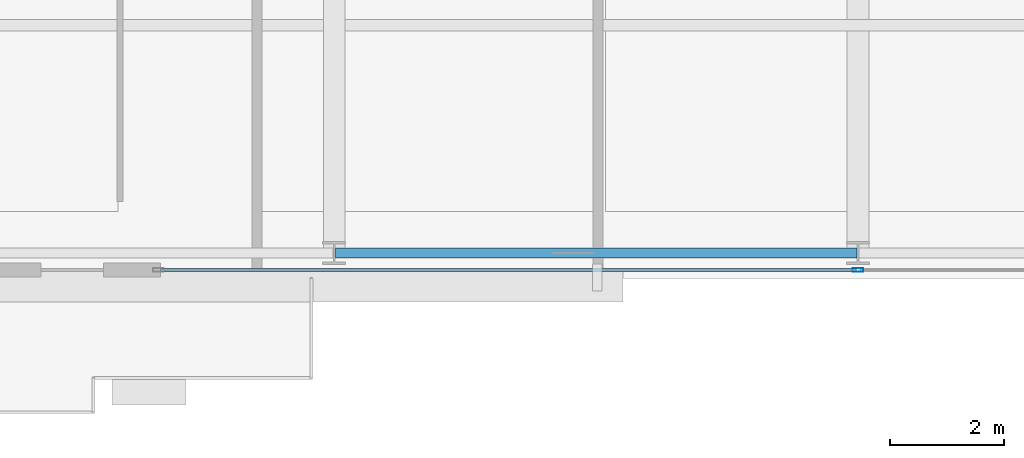
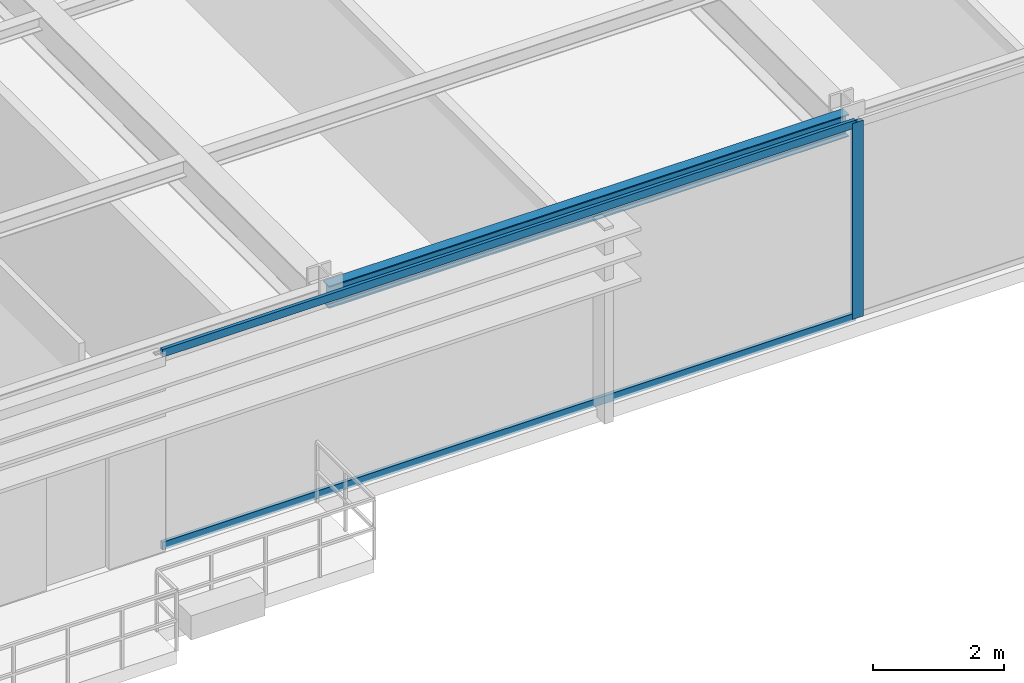
# One storey, part 6 of 31: 3 members, 1 beam, 1 element without a shape of its own.
"""IFC4 building model written with IfcOpenShell, lengths in metres."""

from ifc_helpers import new_model, si_unit, direction, frame, origin, origin_2d, place, context, subcontext, project, spatial, hollow_rectangle, i_section, extrude, source, transform, mapped, material, layer, layer_set, material_profile, profile_set, type_object, type_shapes, element, aggregate, save


model = new_model("IFC4")

# Units and contexts
model_context = context("Model", 3, precision=1e-05, world=origin(), true_north=direction((0.0, 1.0)))
body_context = subcontext(model_context, "Body", "Model", "MODEL_VIEW")
ifc_project = project(units=[si_unit("LENGTHUNIT", "METRE"), si_unit("AREAUNIT", "SQUARE_METRE"), si_unit("VOLUMEUNIT", "CUBIC_METRE"), si_unit("PLANEANGLEUNIT", "RADIAN"), si_unit("MASSUNIT", "GRAM", prefix="KILO")], contexts=[model_context])

# Site, building, storey
site_placement = place(None, origin())
site = spatial("IfcSite", under=ifc_project, at=site_placement, CompositionType="ELEMENT")
building_placement = place(site_placement, origin())
building = spatial("IfcBuilding", under=site, at=building_placement, Name="Varnel Quay Broadcast Tower", CompositionType="ELEMENT")
storey_placement = place(building_placement, frame((0.0, 0.0, 35.39990234375)))
storey = spatial("IfcBuildingStorey", under=building, at=storey_placement, Name="L07", CompositionType="ELEMENT", Elevation=35.39990234375)

# Beam
ifc_material_1 = material(Name="Structural Steel CSA G40.21 350W", Category="steel")
ifc_material_profile_1 = material_profile(ifc_material_1, i_section(OverallWidth=0.180908203125, OverallDepth=0.4169921875, WebThickness=0.010986328125, FlangeThickness=0.018310546875, FilletRadius=0.011962890625, at=origin_2d()), Name="W410X85")
ifc_profile_set_1 = profile_set([ifc_material_profile_1], Name="Structural Steel CSA G40.21 350W")
beam_type = type_object("IfcBeamType", Name="Beam_W410X85", PredefinedType="SPANDREL", material=ifc_profile_set_1)
shared_shape_1 = source(origin(), body_context, "Body", "SweptSolid", [
    extrude(i_section(OverallWidth=0.180908203125, OverallDepth=0.4169921875, WebThickness=0.010986328125, FlangeThickness=0.018310546875, FilletRadius=0.011962890625, at=origin_2d()), origin(), (0.0, 0.0, 1.0), 9.159912109375),
])
type_shapes(beam_type, [shared_shape_1])
beam_placement = place(storey_placement, frame((24.820068359375, 1.64990234375, 3.441650390625), z_axis=(1.0, 0.0, 0.0), x_axis=(0.0, 1.0, 0.0)))
element("IfcBeam", 1, at=beam_placement, inside=storey, type_object=beam_type, Name="L07 South Spandrel TC-S2-TC-S3", PredefinedType="SPANDREL", context=body_context, shape_type="MappedRepresentation", body=[
    mapped(shared_shape_1, transform((0.0, 0.0, 0.0), x_axis=(1.0, 0.0, 0.0), y_axis=(0.0, 1.0, 0.0), z_axis=(0.0, 0.0, 1.0), scale=1.0)),
])

# Curtain wall, members
ifc_material_2 = material(Name="Anodised Bronze Aluminium 6063-T6", Category="aluminium")
ifc_layer = layer(ifc_material_2, 0.18994140625, Name="Anodised Bronze Aluminium 6063-T6")
ifc_layer_set = layer_set([ifc_layer], Name="Anodised Bronze Aluminium 6063-T6")
curtain_wall_type = type_object("IfcCurtainWallType", Name="CW_LowerTower", PredefinedType="NOTDEFINED", material=ifc_layer_set)
curtain_wall_placement = place(storey_placement, origin())
curtain_wall = element("IfcCurtainWall", 2, at=curtain_wall_placement, inside=storey, type_object=curtain_wall_type, Name="L07 South Unitised Curtain Wall 2", PredefinedType="NOTDEFINED")
ifc_material_profile_2 = material_profile(ifc_material_2, hollow_rectangle(XDim=0.06005859375, YDim=0.14501953125, WallThickness=0.00341796875, at=origin_2d()), Name="ALU60X145X3.5")
ifc_profile_set_2 = profile_set([ifc_material_profile_2], Name="Anodised Bronze Aluminium 6063-T6")
member_type_1 = type_object("IfcMemberType", Name="Tran_CWS-02", PredefinedType="USERDEFINED", material=ifc_profile_set_2)
shared_shape_2 = source(origin(), body_context, "Body", "SweptSolid", [
    extrude(hollow_rectangle(XDim=0.06005859375, YDim=0.14501953125, WallThickness=0.00341796875, at=origin_2d()), origin(), (0.0, 0.0, 1.0), 12.215087890625),
])
type_shapes(member_type_1, [shared_shape_2])
member_1_placement = place(storey_placement, frame((21.75, 1.35009765625, 0.030029296875), z_axis=(1.0, 0.0, 0.0), x_axis=(0.0, 1.0, 0.0)))
member_1 = element("IfcMember", 3, at=member_1_placement, type_object=member_type_1, Name="CWS-02 transom 1.1", ObjectType="TRANSOM", PredefinedType="USERDEFINED", context=body_context, shape_type="MappedRepresentation", body=[
    mapped(shared_shape_2, transform((0.0, 0.0, 0.0), x_axis=(1.0, 0.0, 0.0), y_axis=(0.0, 1.0, 0.0), z_axis=(0.0, 0.0, 1.0), scale=1.0)),
])
member_2_placement = place(storey_placement, frame((21.75, 1.35009765625, 3.6201171875), z_axis=(1.0, 0.0, 0.0), x_axis=(0.0, 1.0, 0.0)))
member_2 = element("IfcMember", 4, at=member_2_placement, type_object=member_type_1, Name="CWS-02 transom 1.2", ObjectType="TRANSOM", PredefinedType="USERDEFINED", context=body_context, shape_type="MappedRepresentation", body=[
    mapped(shared_shape_2, transform((0.0, 0.0, 0.0), x_axis=(1.0, 0.0, 0.0), y_axis=(0.0, 1.0, 0.0), z_axis=(0.0, 0.0, 1.0), scale=1.0)),
])
ifc_material_profile_3 = material_profile(ifc_material_2, hollow_rectangle(XDim=0.070068359375, YDim=0.18994140625, WallThickness=0.00390625, at=origin_2d()), Name="ALU70X190X4")
ifc_profile_set_3 = profile_set([ifc_material_profile_3], Name="Anodised Bronze Aluminium 6063-T6")
member_type_2 = type_object("IfcMemberType", Name="Mull_CWS-02", PredefinedType="MULLION", material=ifc_profile_set_3)
shared_shape_3 = source(origin(), body_context, "Body", "SweptSolid", [
    extrude(hollow_rectangle(XDim=0.070068359375, YDim=0.18994140625, WallThickness=0.00390625, at=origin_2d()), origin(), (0.0, 0.0, 1.0), 3.650146484375),
])
type_shapes(member_type_2, [shared_shape_3])
member_3_placement = place(storey_placement, frame((34.0, 1.35009765625, 0.0), z_axis=(0.0, 0.0, 1.0), x_axis=(0.0, 1.0, 0.0)))
member_3 = element("IfcMember", 5, at=member_3_placement, type_object=member_type_2, Name="CWS-02 mullion 2", PredefinedType="MULLION", context=body_context, shape_type="MappedRepresentation", body=[
    mapped(shared_shape_3, transform((0.0, 0.0, 0.0), x_axis=(1.0, 0.0, 0.0), y_axis=(0.0, 1.0, 0.0), z_axis=(0.0, 0.0, 1.0), scale=1.0)),
])
aggregate(curtain_wall, [member_3, member_1, member_2])

save(model, "model.ifc")
